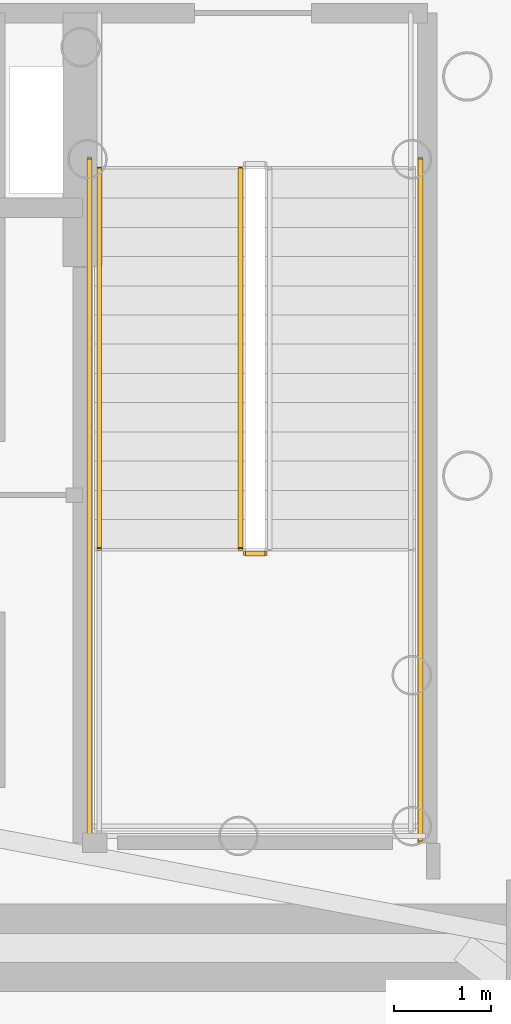
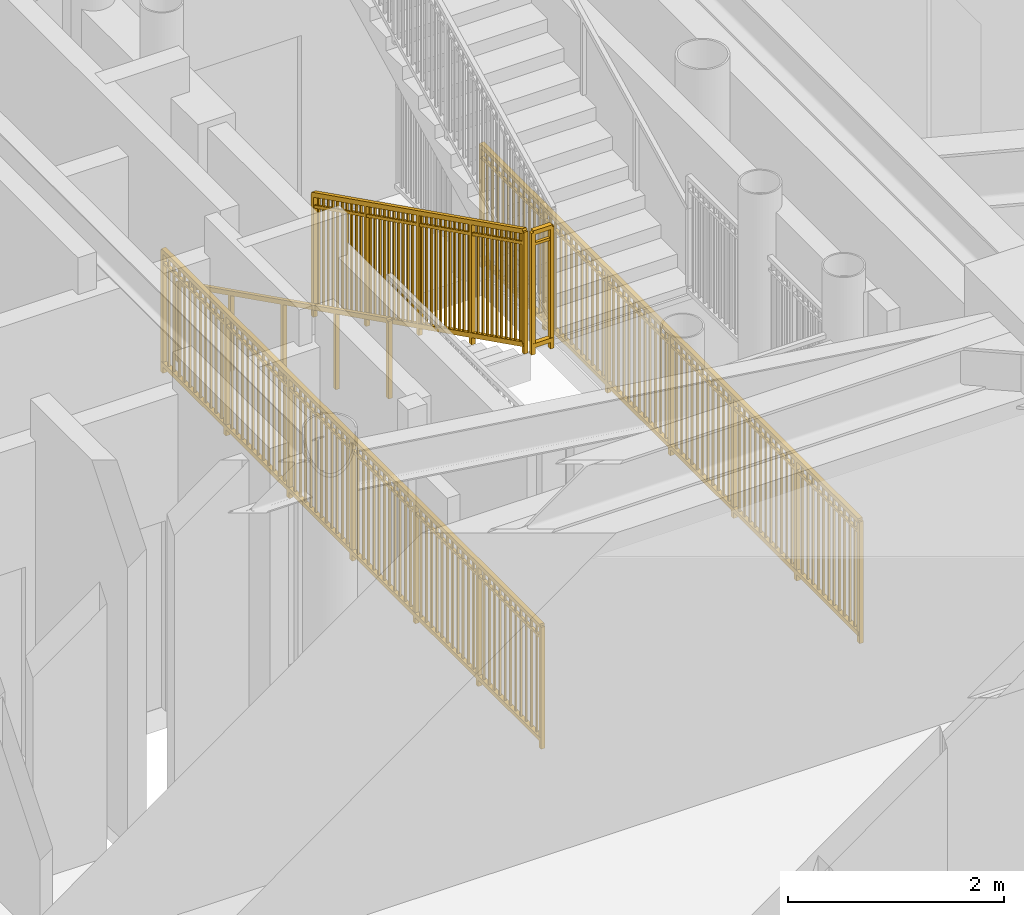
# One storey, part 19 of 21: 5 railings.
"""IFC4 building model written with IfcOpenShell, lengths in metres."""

from ifc_helpers import new_model, si_unit, direction, frame, origin, origin_2d, place, context, subcontext, project, spatial, rectangle, extrude, source, transform, mapped, material, type_object, element, save


model = new_model("IFC4")

# Units and contexts
model_context = context("Model", 3, precision=1e-05, world=origin(), true_north=direction((0.0, 1.0)))
body_context = subcontext(model_context, "Body", "Model", "MODEL_VIEW")
ifc_project = project(units=[si_unit("LENGTHUNIT", "METRE"), si_unit("AREAUNIT", "SQUARE_METRE"), si_unit("VOLUMEUNIT", "CUBIC_METRE"), si_unit("PLANEANGLEUNIT", "RADIAN"), si_unit("MASSUNIT", "GRAM", prefix="KILO")], contexts=[model_context])

# Site, building, storey
site_placement = place(None, origin())
site = spatial("IfcSite", under=ifc_project, at=site_placement, CompositionType="ELEMENT")
building_placement = place(site_placement, origin())
building = spatial("IfcBuilding", under=site, at=building_placement, Name="Linh Dai School and Residence Tower", CompositionType="ELEMENT")
storey_placement = place(building_placement, frame((0.0, 0.0, 61.800048828125)))
storey = spatial("IfcBuildingStorey", under=building, at=storey_placement, Name="L14", CompositionType="ELEMENT", Elevation=61.800048828125)

# Railings
ifc_material_1 = material(Name="Structural Steel S355JR", Category="steel")
railing_type_1 = type_object("IfcRailingType", Name="RL-ST-GUARD-1400", PredefinedType="GUARDRAIL", material=ifc_material_1)
shared_shape_1 = source(origin(), body_context, "Body", "SweptSolid", [
    extrude(rectangle(XDim=0.048095703125, YDim=0.048095703125, at=origin_2d()), frame((0.0, 0.0, 1.3759765625), z_axis=(1.0, 0.0, 0.0), x_axis=(0.0, 1.0, 0.0)), (0.0, 0.0, 1.0), 0.199951171875),
    extrude(rectangle(XDim=0.048095703125, YDim=0.048095703125, at=origin_2d()), frame((0.0, 0.0, 0.10009765625), z_axis=(1.0, 0.0, 0.0), x_axis=(0.0, 1.0, 0.0)), (0.0, 0.0, 1.0), 0.199951171875),
    extrude(rectangle(XDim=0.030029296875, YDim=0.030029296875, at=origin_2d()), frame((0.0, 0.0, 1.239990234375), z_axis=(1.0, 0.0, 0.0), x_axis=(0.0, 1.0, 0.0)), (0.0, 0.0, 1.0), 0.199951171875),
    extrude(rectangle(XDim=0.0419921875, YDim=0.0419921875, at=origin_2d()), origin(), (0.0, 0.0, 1.0), 1.3759765625),
    extrude(rectangle(XDim=0.0419921875, YDim=0.0419921875, at=origin_2d()), frame((0.199951171875, 0.0, 0.0)), (0.0, 0.0, 1.0), 1.3759765625),
])
railing_1_placement = place(storey_placement, frame((42.570068359375, 24.300048828125, 2.099853515625)))
element("IfcRailing", 1, at=railing_1_placement, inside=storey, type_object=railing_type_1, Name="L14 ST2 stair guard 2", PredefinedType="GUARDRAIL", context=body_context, shape_type="MappedRepresentation", body=[
    mapped(shared_shape_1, transform((0.0, 0.0, 0.0), x_axis=(1.0, 0.0, 0.0), y_axis=(0.0, 1.0, 0.0), z_axis=(0.0, 0.0, 1.0), scale=1.0)),
])
shared_shape_2 = source(origin(), body_context, "Body", "SweptSolid", [
    extrude(rectangle(XDim=0.048095703125, YDim=0.048095703125, at=origin_2d()), frame((0.0, 0.0, 1.3759765625), z_axis=(0.0, -1.0, 0.0), x_axis=(1.0, 0.0, 0.0)), (0.0, 0.0, 1.0), 7.0),
    extrude(rectangle(XDim=0.048095703125, YDim=0.048095703125, at=origin_2d()), frame((0.0, 0.0, 0.10009765625), z_axis=(0.0, -1.0, 0.0), x_axis=(1.0, 0.0, 0.0)), (0.0, 0.0, 1.0), 7.0),
    extrude(rectangle(XDim=0.030029296875, YDim=0.030029296875, at=origin_2d()), frame((0.0, 0.0, 1.239990234375), z_axis=(0.0, -1.0, 0.0), x_axis=(1.0, 0.0, 0.0)), (0.0, 0.0, 1.0), 7.0),
    extrude(rectangle(XDim=0.02001953125, YDim=0.02001953125, at=origin_2d()), frame((0.0, -0.09716796875, 0.10009765625)), (0.0, 0.0, 1.0), 1.251708984375),
    extrude(rectangle(XDim=0.02001953125, YDim=0.02001953125, at=origin_2d()), frame((0.0, -0.1943359375, 0.10009765625)), (0.0, 0.0, 1.0), 1.251708984375),
    extrude(rectangle(XDim=0.02001953125, YDim=0.02001953125, at=origin_2d()), frame((0.0, -0.291748046875, 0.10009765625)), (0.0, 0.0, 1.0), 1.251708984375),
    extrude(rectangle(XDim=0.02001953125, YDim=0.02001953125, at=origin_2d()), frame((0.0, -0.388916015625, 0.10009765625)), (0.0, 0.0, 1.0), 1.251708984375),
    extrude(rectangle(XDim=0.02001953125, YDim=0.02001953125, at=origin_2d()), frame((0.0, -0.486083984375, 0.10009765625)), (0.0, 0.0, 1.0), 1.251708984375),
    extrude(rectangle(XDim=0.02001953125, YDim=0.02001953125, at=origin_2d()), frame((0.0, -0.583251953125, 0.10009765625)), (0.0, 0.0, 1.0), 1.251708984375),
    extrude(rectangle(XDim=0.02001953125, YDim=0.02001953125, at=origin_2d()), frame((0.0, -0.6806640625, 0.10009765625)), (0.0, 0.0, 1.0), 1.251708984375),
    extrude(rectangle(XDim=0.02001953125, YDim=0.02001953125, at=origin_2d()), frame((0.0, -0.77783203125, 0.10009765625)), (0.0, 0.0, 1.0), 1.251708984375),
    extrude(rectangle(XDim=0.02001953125, YDim=0.02001953125, at=origin_2d()), frame((0.0, -0.875, 0.10009765625)), (0.0, 0.0, 1.0), 1.251708984375),
    extrude(rectangle(XDim=0.02001953125, YDim=0.02001953125, at=origin_2d()), frame((0.0, -0.97216796875, 0.10009765625)), (0.0, 0.0, 1.0), 1.251708984375),
    extrude(rectangle(XDim=0.02001953125, YDim=0.02001953125, at=origin_2d()), frame((0.0, -1.0693359375, 0.10009765625)), (0.0, 0.0, 1.0), 1.251708984375),
    extrude(rectangle(XDim=0.02001953125, YDim=0.02001953125, at=origin_2d()), frame((0.0, -1.263916015625, 0.10009765625)), (0.0, 0.0, 1.0), 1.251708984375),
    extrude(rectangle(XDim=0.02001953125, YDim=0.02001953125, at=origin_2d()), frame((0.0, -1.361083984375, 0.10009765625)), (0.0, 0.0, 1.0), 1.251708984375),
    extrude(rectangle(XDim=0.02001953125, YDim=0.02001953125, at=origin_2d()), frame((0.0, -1.458251953125, 0.10009765625)), (0.0, 0.0, 1.0), 1.251708984375),
    extrude(rectangle(XDim=0.02001953125, YDim=0.02001953125, at=origin_2d()), frame((0.0, -1.5556640625, 0.10009765625)), (0.0, 0.0, 1.0), 1.251708984375),
    extrude(rectangle(XDim=0.02001953125, YDim=0.02001953125, at=origin_2d()), frame((0.0, -1.65283203125, 0.10009765625)), (0.0, 0.0, 1.0), 1.251708984375),
    extrude(rectangle(XDim=0.02001953125, YDim=0.02001953125, at=origin_2d()), frame((0.0, -1.75, 0.10009765625)), (0.0, 0.0, 1.0), 1.251708984375),
    extrude(rectangle(XDim=0.02001953125, YDim=0.02001953125, at=origin_2d()), frame((0.0, -1.84716796875, 0.10009765625)), (0.0, 0.0, 1.0), 1.251708984375),
    extrude(rectangle(XDim=0.02001953125, YDim=0.02001953125, at=origin_2d()), frame((0.0, -1.9443359375, 0.10009765625)), (0.0, 0.0, 1.0), 1.251708984375),
    extrude(rectangle(XDim=0.02001953125, YDim=0.02001953125, at=origin_2d()), frame((0.0, -2.041748046875, 0.10009765625)), (0.0, 0.0, 1.0), 1.251708984375),
    extrude(rectangle(XDim=0.02001953125, YDim=0.02001953125, at=origin_2d()), frame((0.0, -2.138916015625, 0.10009765625)), (0.0, 0.0, 1.0), 1.251708984375),
    extrude(rectangle(XDim=0.02001953125, YDim=0.02001953125, at=origin_2d()), frame((0.0, -2.236083984375, 0.10009765625)), (0.0, 0.0, 1.0), 1.251708984375),
    extrude(rectangle(XDim=0.02001953125, YDim=0.02001953125, at=origin_2d()), frame((0.0, -2.4306640625, 0.10009765625)), (0.0, 0.0, 1.0), 1.251708984375),
    extrude(rectangle(XDim=0.02001953125, YDim=0.02001953125, at=origin_2d()), frame((0.0, -2.52783203125, 0.10009765625)), (0.0, 0.0, 1.0), 1.251708984375),
    extrude(rectangle(XDim=0.02001953125, YDim=0.02001953125, at=origin_2d()), frame((0.0, -2.625, 0.10009765625)), (0.0, 0.0, 1.0), 1.251708984375),
    extrude(rectangle(XDim=0.02001953125, YDim=0.02001953125, at=origin_2d()), frame((0.0, -2.72216796875, 0.10009765625)), (0.0, 0.0, 1.0), 1.251708984375),
    extrude(rectangle(XDim=0.02001953125, YDim=0.02001953125, at=origin_2d()), frame((0.0, -2.8193359375, 0.10009765625)), (0.0, 0.0, 1.0), 1.251708984375),
    extrude(rectangle(XDim=0.02001953125, YDim=0.02001953125, at=origin_2d()), frame((0.0, -2.916748046875, 0.10009765625)), (0.0, 0.0, 1.0), 1.251708984375),
    extrude(rectangle(XDim=0.02001953125, YDim=0.02001953125, at=origin_2d()), frame((0.0, -3.013916015625, 0.10009765625)), (0.0, 0.0, 1.0), 1.251708984375),
    extrude(rectangle(XDim=0.02001953125, YDim=0.02001953125, at=origin_2d()), frame((0.0, -3.111083984375, 0.10009765625)), (0.0, 0.0, 1.0), 1.251708984375),
    extrude(rectangle(XDim=0.02001953125, YDim=0.02001953125, at=origin_2d()), frame((0.0, -3.208251953125, 0.10009765625)), (0.0, 0.0, 1.0), 1.251708984375),
    extrude(rectangle(XDim=0.02001953125, YDim=0.02001953125, at=origin_2d()), frame((0.0, -3.3056640625, 0.10009765625)), (0.0, 0.0, 1.0), 1.251708984375),
    extrude(rectangle(XDim=0.02001953125, YDim=0.02001953125, at=origin_2d()), frame((0.0, -3.40283203125, 0.10009765625)), (0.0, 0.0, 1.0), 1.251708984375),
    extrude(rectangle(XDim=0.02001953125, YDim=0.02001953125, at=origin_2d()), frame((0.0, -3.59716796875, 0.10009765625)), (0.0, 0.0, 1.0), 1.251708984375),
    extrude(rectangle(XDim=0.02001953125, YDim=0.02001953125, at=origin_2d()), frame((0.0, -3.6943359375, 0.10009765625)), (0.0, 0.0, 1.0), 1.251708984375),
    extrude(rectangle(XDim=0.02001953125, YDim=0.02001953125, at=origin_2d()), frame((0.0, -3.791748046875, 0.10009765625)), (0.0, 0.0, 1.0), 1.251708984375),
    extrude(rectangle(XDim=0.02001953125, YDim=0.02001953125, at=origin_2d()), frame((0.0, -3.888916015625, 0.10009765625)), (0.0, 0.0, 1.0), 1.251708984375),
    extrude(rectangle(XDim=0.02001953125, YDim=0.02001953125, at=origin_2d()), frame((0.0, -3.986083984375, 0.10009765625)), (0.0, 0.0, 1.0), 1.251708984375),
    extrude(rectangle(XDim=0.02001953125, YDim=0.02001953125, at=origin_2d()), frame((0.0, -4.083251953125, 0.10009765625)), (0.0, 0.0, 1.0), 1.251708984375),
    extrude(rectangle(XDim=0.02001953125, YDim=0.02001953125, at=origin_2d()), frame((0.0, -4.1806640625, 0.10009765625)), (0.0, 0.0, 1.0), 1.251708984375),
    extrude(rectangle(XDim=0.02001953125, YDim=0.02001953125, at=origin_2d()), frame((0.0, -4.27783203125, 0.10009765625)), (0.0, 0.0, 1.0), 1.251708984375),
    extrude(rectangle(XDim=0.02001953125, YDim=0.02001953125, at=origin_2d()), frame((0.0, -4.375, 0.10009765625)), (0.0, 0.0, 1.0), 1.251708984375),
    extrude(rectangle(XDim=0.02001953125, YDim=0.02001953125, at=origin_2d()), frame((0.0, -4.47216796875, 0.10009765625)), (0.0, 0.0, 1.0), 1.251708984375),
    extrude(rectangle(XDim=0.02001953125, YDim=0.02001953125, at=origin_2d()), frame((0.0, -4.5693359375, 0.10009765625)), (0.0, 0.0, 1.0), 1.251708984375),
    extrude(rectangle(XDim=0.02001953125, YDim=0.02001953125, at=origin_2d()), frame((0.0, -4.763916015625, 0.10009765625)), (0.0, 0.0, 1.0), 1.251708984375),
    extrude(rectangle(XDim=0.02001953125, YDim=0.02001953125, at=origin_2d()), frame((0.0, -4.861083984375, 0.10009765625)), (0.0, 0.0, 1.0), 1.251708984375),
    extrude(rectangle(XDim=0.02001953125, YDim=0.02001953125, at=origin_2d()), frame((0.0, -4.958251953125, 0.10009765625)), (0.0, 0.0, 1.0), 1.251708984375),
    extrude(rectangle(XDim=0.02001953125, YDim=0.02001953125, at=origin_2d()), frame((0.0, -5.0556640625, 0.10009765625)), (0.0, 0.0, 1.0), 1.251708984375),
    extrude(rectangle(XDim=0.02001953125, YDim=0.02001953125, at=origin_2d()), frame((0.0, -5.15283203125, 0.10009765625)), (0.0, 0.0, 1.0), 1.251708984375),
    extrude(rectangle(XDim=0.02001953125, YDim=0.02001953125, at=origin_2d()), frame((0.0, -5.25, 0.10009765625)), (0.0, 0.0, 1.0), 1.251708984375),
    extrude(rectangle(XDim=0.02001953125, YDim=0.02001953125, at=origin_2d()), frame((0.0, -5.34716796875, 0.10009765625)), (0.0, 0.0, 1.0), 1.251708984375),
    extrude(rectangle(XDim=0.02001953125, YDim=0.02001953125, at=origin_2d()), frame((0.0, -5.4443359375, 0.10009765625)), (0.0, 0.0, 1.0), 1.251708984375),
    extrude(rectangle(XDim=0.02001953125, YDim=0.02001953125, at=origin_2d()), frame((0.0, -5.541748046875, 0.10009765625)), (0.0, 0.0, 1.0), 1.251708984375),
    extrude(rectangle(XDim=0.02001953125, YDim=0.02001953125, at=origin_2d()), frame((0.0, -5.638916015625, 0.10009765625)), (0.0, 0.0, 1.0), 1.251708984375),
    extrude(rectangle(XDim=0.02001953125, YDim=0.02001953125, at=origin_2d()), frame((0.0, -5.736083984375, 0.10009765625)), (0.0, 0.0, 1.0), 1.251708984375),
    extrude(rectangle(XDim=0.02001953125, YDim=0.02001953125, at=origin_2d()), frame((0.0, -5.9306640625, 0.10009765625)), (0.0, 0.0, 1.0), 1.251708984375),
    extrude(rectangle(XDim=0.02001953125, YDim=0.02001953125, at=origin_2d()), frame((0.0, -6.02783203125, 0.10009765625)), (0.0, 0.0, 1.0), 1.251708984375),
    extrude(rectangle(XDim=0.02001953125, YDim=0.02001953125, at=origin_2d()), frame((0.0, -6.125, 0.10009765625)), (0.0, 0.0, 1.0), 1.251708984375),
    extrude(rectangle(XDim=0.02001953125, YDim=0.02001953125, at=origin_2d()), frame((0.0, -6.22216796875, 0.10009765625)), (0.0, 0.0, 1.0), 1.251708984375),
    extrude(rectangle(XDim=0.02001953125, YDim=0.02001953125, at=origin_2d()), frame((0.0, -6.3193359375, 0.10009765625)), (0.0, 0.0, 1.0), 1.251708984375),
    extrude(rectangle(XDim=0.02001953125, YDim=0.02001953125, at=origin_2d()), frame((0.0, -6.416748046875, 0.10009765625)), (0.0, 0.0, 1.0), 1.251708984375),
    extrude(rectangle(XDim=0.02001953125, YDim=0.02001953125, at=origin_2d()), frame((0.0, -6.513916015625, 0.10009765625)), (0.0, 0.0, 1.0), 1.251708984375),
    extrude(rectangle(XDim=0.02001953125, YDim=0.02001953125, at=origin_2d()), frame((0.0, -6.611083984375, 0.10009765625)), (0.0, 0.0, 1.0), 1.251708984375),
    extrude(rectangle(XDim=0.02001953125, YDim=0.02001953125, at=origin_2d()), frame((0.0, -6.708251953125, 0.10009765625)), (0.0, 0.0, 1.0), 1.251708984375),
    extrude(rectangle(XDim=0.02001953125, YDim=0.02001953125, at=origin_2d()), frame((0.0, -6.8056640625, 0.10009765625)), (0.0, 0.0, 1.0), 1.251708984375),
    extrude(rectangle(XDim=0.02001953125, YDim=0.02001953125, at=origin_2d()), frame((0.0, -6.90283203125, 0.10009765625)), (0.0, 0.0, 1.0), 1.251708984375),
    extrude(rectangle(XDim=0.0419921875, YDim=0.0419921875, at=origin_2d()), origin(), (0.0, 0.0, 1.0), 1.3759765625),
    extrude(rectangle(XDim=0.0419921875, YDim=0.0419921875, at=origin_2d()), frame((0.0, -1.166748046875, 0.0)), (0.0, 0.0, 1.0), 1.3759765625),
    extrude(rectangle(XDim=0.0419921875, YDim=0.0419921875, at=origin_2d()), frame((0.0, -2.333251953125, 0.0)), (0.0, 0.0, 1.0), 1.3759765625),
    extrude(rectangle(XDim=0.0419921875, YDim=0.0419921875, at=origin_2d()), frame((0.0, -3.5, 0.0)), (0.0, 0.0, 1.0), 1.3759765625),
    extrude(rectangle(XDim=0.0419921875, YDim=0.0419921875, at=origin_2d()), frame((0.0, -4.666748046875, 0.0)), (0.0, 0.0, 1.0), 1.3759765625),
    extrude(rectangle(XDim=0.0419921875, YDim=0.0419921875, at=origin_2d()), frame((0.0, -5.833251953125, 0.0)), (0.0, 0.0, 1.0), 1.3759765625),
    extrude(rectangle(XDim=0.0419921875, YDim=0.0419921875, at=origin_2d()), frame((0.0, -7.0, 0.0)), (0.0, 0.0, 1.0), 1.3759765625),
])
for number, where, name in (
    (2, (40.969970703125, 28.35009765625, 0.0), "L14 ST2 stair guard 10"),
    (3, (44.3701171875, 28.35009765625, 0.0), "L14 ST2 stair guard 11"),
):
    element("IfcRailing", number, at=place(storey_placement, frame(where)), inside=storey, type_object=railing_type_1, Name=name, PredefinedType="GUARDRAIL", context=body_context, shape_type="MappedRepresentation", body=[
        mapped(shared_shape_2, transform((0.0, 0.0, 0.0), x_axis=(1.0, 0.0, 0.0), y_axis=(0.0, 1.0, 0.0), z_axis=(0.0, 0.0, 1.0), scale=1.0)),
    ])
shared_shape_3 = source(origin(), body_context, "Body", "SweptSolid", [
    extrude(rectangle(XDim=0.048095703125, YDim=0.048095703125, at=origin_2d()), frame((0.0, 0.0, 1.3759765625), z_axis=(0.0, -0.894427191, 0.4472135955), x_axis=(1.0, 0.0, 0.0)), (0.0, 0.0, 1.0), 4.360107421875),
    extrude(rectangle(XDim=0.048095703125, YDim=0.048095703125, at=origin_2d()), frame((0.0, 0.0, 0.10009765625), z_axis=(0.0, -0.894427191, 0.4472135955), x_axis=(1.0, 0.0, 0.0)), (0.0, 0.0, 1.0), 4.360107421875),
    extrude(rectangle(XDim=0.030029296875, YDim=0.030029296875, at=origin_2d()), frame((0.0, 0.0, 1.239990234375), z_axis=(0.0, -0.894427191, 0.4472135955), x_axis=(1.0, 0.0, 0.0)), (0.0, 0.0, 1.0), 4.360107421875),
    extrude(rectangle(XDim=0.02001953125, YDim=0.02001953125, at=origin_2d()), frame((0.0, -0.086669921875, 0.143310546875)), (0.0, 0.0, 1.0), 1.251708984375),
    extrude(rectangle(XDim=0.02001953125, YDim=0.02001953125, at=origin_2d()), frame((0.0, -0.17333984375, 0.186767578125)), (0.0, 0.0, 1.0), 1.251708984375),
    extrude(rectangle(XDim=0.02001953125, YDim=0.02001953125, at=origin_2d()), frame((0.0, -0.260009765625, 0.22998046875)), (0.0, 0.0, 1.0), 1.251708984375),
    extrude(rectangle(XDim=0.02001953125, YDim=0.02001953125, at=origin_2d()), frame((0.0, -0.3466796875, 0.2734375)), (0.0, 0.0, 1.0), 1.251708984375),
    extrude(rectangle(XDim=0.02001953125, YDim=0.02001953125, at=origin_2d()), frame((0.0, -0.433349609375, 0.316650390625)), (0.0, 0.0, 1.0), 1.251708984375),
    extrude(rectangle(XDim=0.02001953125, YDim=0.02001953125, at=origin_2d()), frame((0.0, -0.52001953125, 0.360107421875)), (0.0, 0.0, 1.0), 1.251708984375),
    extrude(rectangle(XDim=0.02001953125, YDim=0.02001953125, at=origin_2d()), frame((0.0, -0.606689453125, 0.4033203125)), (0.0, 0.0, 1.0), 1.251708984375),
    extrude(rectangle(XDim=0.02001953125, YDim=0.02001953125, at=origin_2d()), frame((0.0, -0.693359375, 0.44677734375)), (0.0, 0.0, 1.0), 1.251708984375),
    extrude(rectangle(XDim=0.02001953125, YDim=0.02001953125, at=origin_2d()), frame((0.0, -0.780029296875, 0.489990234375)), (0.0, 0.0, 1.0), 1.251708984375),
    extrude(rectangle(XDim=0.02001953125, YDim=0.02001953125, at=origin_2d()), frame((0.0, -0.86669921875, 0.533447265625)), (0.0, 0.0, 1.0), 1.251708984375),
    extrude(rectangle(XDim=0.02001953125, YDim=0.02001953125, at=origin_2d()), frame((0.0, -1.0400390625, 0.6201171875)), (0.0, 0.0, 1.0), 1.251708984375),
    extrude(rectangle(XDim=0.02001953125, YDim=0.02001953125, at=origin_2d()), frame((0.0, -1.126708984375, 0.663330078125)), (0.0, 0.0, 1.0), 1.251708984375),
    extrude(rectangle(XDim=0.02001953125, YDim=0.02001953125, at=origin_2d()), frame((0.0, -1.21337890625, 0.706787109375)), (0.0, 0.0, 1.0), 1.251708984375),
    extrude(rectangle(XDim=0.02001953125, YDim=0.02001953125, at=origin_2d()), frame((0.0, -1.300048828125, 0.75)), (0.0, 0.0, 1.0), 1.251708984375),
    extrude(rectangle(XDim=0.02001953125, YDim=0.02001953125, at=origin_2d()), frame((0.0, -1.38671875, 0.79345703125)), (0.0, 0.0, 1.0), 1.251708984375),
    extrude(rectangle(XDim=0.02001953125, YDim=0.02001953125, at=origin_2d()), frame((0.0, -1.473388671875, 0.836669921875)), (0.0, 0.0, 1.0), 1.251708984375),
    extrude(rectangle(XDim=0.02001953125, YDim=0.02001953125, at=origin_2d()), frame((0.0, -1.56005859375, 0.880126953125)), (0.0, 0.0, 1.0), 1.251708984375),
    extrude(rectangle(XDim=0.02001953125, YDim=0.02001953125, at=origin_2d()), frame((0.0, -1.646728515625, 0.92333984375)), (0.0, 0.0, 1.0), 1.251708984375),
    extrude(rectangle(XDim=0.02001953125, YDim=0.02001953125, at=origin_2d()), frame((0.0, -1.7333984375, 0.966796875)), (0.0, 0.0, 1.0), 1.251708984375),
    extrude(rectangle(XDim=0.02001953125, YDim=0.02001953125, at=origin_2d()), frame((0.0, -1.820068359375, 1.010009765625)), (0.0, 0.0, 1.0), 1.251708984375),
    extrude(rectangle(XDim=0.02001953125, YDim=0.02001953125, at=origin_2d()), frame((0.0, -1.90673828125, 1.053466796875)), (0.0, 0.0, 1.0), 1.251708984375),
    extrude(rectangle(XDim=0.02001953125, YDim=0.02001953125, at=origin_2d()), frame((0.0, -1.9931640625, 1.0966796875)), (0.0, 0.0, 1.0), 1.251708984375),
    extrude(rectangle(XDim=0.02001953125, YDim=0.02001953125, at=origin_2d()), frame((0.0, -2.079833984375, 1.14013671875)), (0.0, 0.0, 1.0), 1.251708984375),
    extrude(rectangle(XDim=0.02001953125, YDim=0.02001953125, at=origin_2d()), frame((0.0, -2.16650390625, 1.183349609375)), (0.0, 0.0, 1.0), 1.251708984375),
    extrude(rectangle(XDim=0.02001953125, YDim=0.02001953125, at=origin_2d()), frame((0.0, -2.253173828125, 1.226806640625)), (0.0, 0.0, 1.0), 1.251708984375),
    extrude(rectangle(XDim=0.02001953125, YDim=0.02001953125, at=origin_2d()), frame((0.0, -2.33984375, 1.27001953125)), (0.0, 0.0, 1.0), 1.251708984375),
    extrude(rectangle(XDim=0.02001953125, YDim=0.02001953125, at=origin_2d()), frame((0.0, -2.426513671875, 1.3134765625)), (0.0, 0.0, 1.0), 1.251708984375),
    extrude(rectangle(XDim=0.02001953125, YDim=0.02001953125, at=origin_2d()), frame((0.0, -2.51318359375, 1.356689453125)), (0.0, 0.0, 1.0), 1.251708984375),
    extrude(rectangle(XDim=0.02001953125, YDim=0.02001953125, at=origin_2d()), frame((0.0, -2.599853515625, 1.400146484375)), (0.0, 0.0, 1.0), 1.251708984375),
    extrude(rectangle(XDim=0.02001953125, YDim=0.02001953125, at=origin_2d()), frame((0.0, -2.6865234375, 1.443359375)), (0.0, 0.0, 1.0), 1.251708984375),
    extrude(rectangle(XDim=0.02001953125, YDim=0.02001953125, at=origin_2d()), frame((0.0, -2.773193359375, 1.48681640625)), (0.0, 0.0, 1.0), 1.251708984375),
    extrude(rectangle(XDim=0.02001953125, YDim=0.02001953125, at=origin_2d()), frame((0.0, -2.85986328125, 1.530029296875)), (0.0, 0.0, 1.0), 1.251708984375),
    extrude(rectangle(XDim=0.02001953125, YDim=0.02001953125, at=origin_2d()), frame((0.0, -3.033203125, 1.61669921875)), (0.0, 0.0, 1.0), 1.251708984375),
    extrude(rectangle(XDim=0.02001953125, YDim=0.02001953125, at=origin_2d()), frame((0.0, -3.119873046875, 1.66015625)), (0.0, 0.0, 1.0), 1.251708984375),
    extrude(rectangle(XDim=0.02001953125, YDim=0.02001953125, at=origin_2d()), frame((0.0, -3.20654296875, 1.703369140625)), (0.0, 0.0, 1.0), 1.251708984375),
    extrude(rectangle(XDim=0.02001953125, YDim=0.02001953125, at=origin_2d()), frame((0.0, -3.293212890625, 1.746826171875)), (0.0, 0.0, 1.0), 1.251708984375),
    extrude(rectangle(XDim=0.02001953125, YDim=0.02001953125, at=origin_2d()), frame((0.0, -3.3798828125, 1.7900390625)), (0.0, 0.0, 1.0), 1.251708984375),
    extrude(rectangle(XDim=0.02001953125, YDim=0.02001953125, at=origin_2d()), frame((0.0, -3.466552734375, 1.83349609375)), (0.0, 0.0, 1.0), 1.251708984375),
    extrude(rectangle(XDim=0.02001953125, YDim=0.02001953125, at=origin_2d()), frame((0.0, -3.55322265625, 1.876708984375)), (0.0, 0.0, 1.0), 1.251708984375),
    extrude(rectangle(XDim=0.02001953125, YDim=0.02001953125, at=origin_2d()), frame((0.0, -3.639892578125, 1.920166015625)), (0.0, 0.0, 1.0), 1.251708984375),
    extrude(rectangle(XDim=0.02001953125, YDim=0.02001953125, at=origin_2d()), frame((0.0, -3.7265625, 1.96337890625)), (0.0, 0.0, 1.0), 1.251708984375),
    extrude(rectangle(XDim=0.02001953125, YDim=0.02001953125, at=origin_2d()), frame((0.0, -3.813232421875, 2.0068359375)), (0.0, 0.0, 1.0), 1.251708984375),
    extrude(rectangle(XDim=0.0419921875, YDim=0.0419921875, at=origin_2d()), origin(), (0.0, 0.0, 1.0), 1.3759765625),
    extrude(rectangle(XDim=0.0419921875, YDim=0.0419921875, at=origin_2d()), frame((0.0, -0.97509765625, 0.487548828125)), (0.0, 0.0, 1.0), 1.3759765625),
    extrude(rectangle(XDim=0.0419921875, YDim=0.0419921875, at=origin_2d()), frame((0.0, -1.949951171875, 0.97509765625)), (0.0, 0.0, 1.0), 1.3759765625),
    extrude(rectangle(XDim=0.0419921875, YDim=0.0419921875, at=origin_2d()), frame((0.0, -2.9248046875, 1.46240234375)), (0.0, 0.0, 1.0), 1.3759765625),
    extrude(rectangle(XDim=0.0419921875, YDim=0.0419921875, at=origin_2d()), frame((0.0, -3.89990234375, 1.949951171875)), (0.0, 0.0, 1.0), 1.3759765625),
])
railing_2_placement = place(storey_placement, frame((42.52001953125, 28.25, 0.14990234375)))
element("IfcRailing", 4, at=railing_2_placement, inside=storey, type_object=railing_type_1, Name="L14 ST2 stair guard 1", PredefinedType="GUARDRAIL", context=body_context, shape_type="MappedRepresentation", body=[
    mapped(shared_shape_3, transform((0.0, 0.0, 0.0), x_axis=(1.0, 0.0, 0.0), y_axis=(0.0, 1.0, 0.0), z_axis=(0.0, 0.0, 1.0), scale=1.0)),
])
ifc_material_2 = material(Name="Brushed Stainless Steel Handrail", Category="steel")
railing_type_2 = type_object("IfcRailingType", Name="RL-ST-HANDRAIL-900", PredefinedType="HANDRAIL", material=ifc_material_2)
shared_shape_4 = source(origin(), body_context, "Body", "SweptSolid", [
    extrude(rectangle(XDim=0.048095703125, YDim=0.048095703125, at=origin_2d()), frame((0.0, 0.0, 0.8759765625), z_axis=(0.0, -0.894427191, 0.4472135955), x_axis=(1.0, 0.0, 0.0)), (0.0, 0.0, 1.0), 4.360107421875),
    extrude(rectangle(XDim=0.0419921875, YDim=0.0419921875, at=origin_2d()), origin(), (0.0, 0.0, 1.0), 0.8759765625),
    extrude(rectangle(XDim=0.0419921875, YDim=0.0419921875, at=origin_2d()), frame((0.0, -0.97509765625, 0.487548828125)), (0.0, 0.0, 1.0), 0.8759765625),
    extrude(rectangle(XDim=0.0419921875, YDim=0.0419921875, at=origin_2d()), frame((0.0, -1.949951171875, 0.97509765625)), (0.0, 0.0, 1.0), 0.8759765625),
    extrude(rectangle(XDim=0.0419921875, YDim=0.0419921875, at=origin_2d()), frame((0.0, -2.9248046875, 1.46240234375)), (0.0, 0.0, 1.0), 0.8759765625),
    extrude(rectangle(XDim=0.0419921875, YDim=0.0419921875, at=origin_2d()), frame((0.0, -3.89990234375, 1.949951171875)), (0.0, 0.0, 1.0), 0.8759765625),
])
railing_3_placement = place(storey_placement, frame((41.070068359375, 28.25, 0.14990234375)))
element("IfcRailing", 5, at=railing_3_placement, inside=storey, type_object=railing_type_2, Name="L14 ST2 stair handrail 1", PredefinedType="HANDRAIL", context=body_context, shape_type="MappedRepresentation", body=[
    mapped(shared_shape_4, transform((0.0, 0.0, 0.0), x_axis=(1.0, 0.0, 0.0), y_axis=(0.0, 1.0, 0.0), z_axis=(0.0, 0.0, 1.0), scale=1.0)),
])

save(model, "model.ifc")
